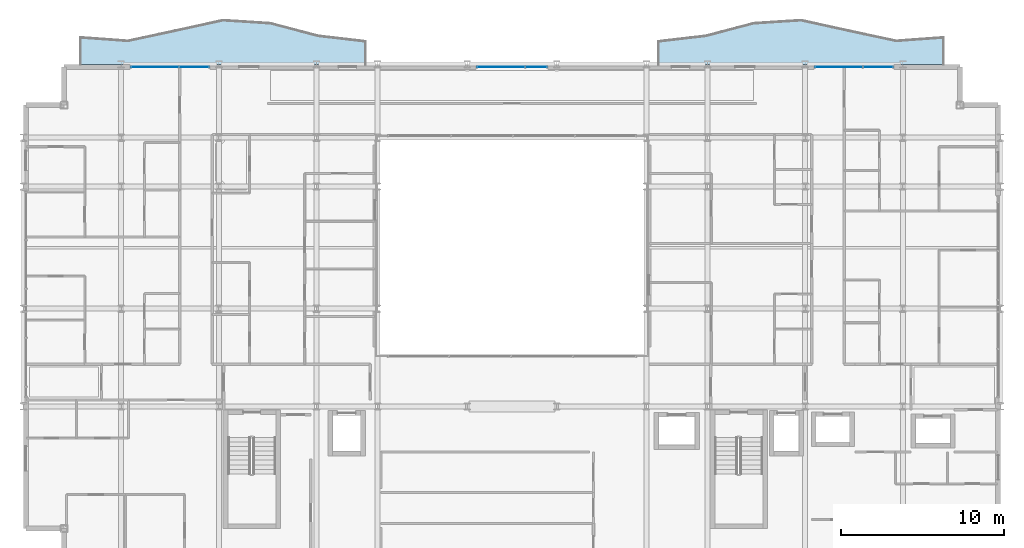
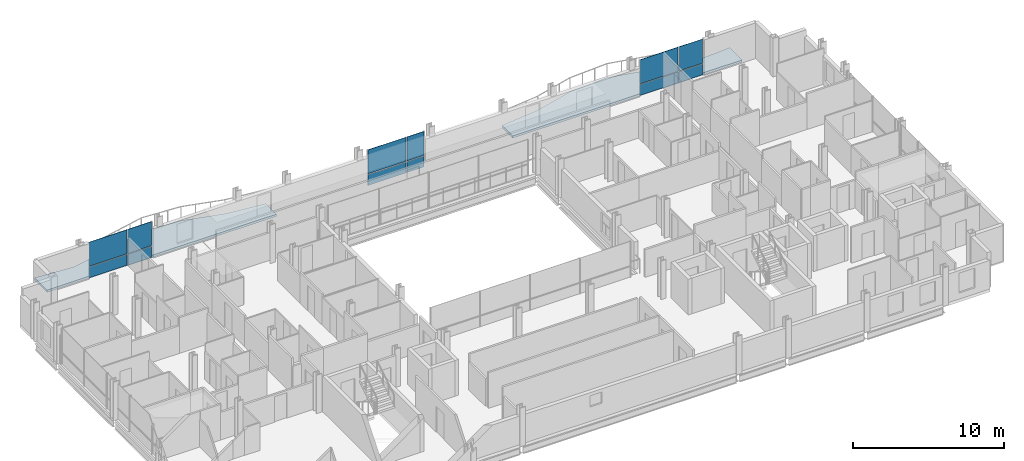
# One storey, part 29 of 40: 12 plates, 2 slabs, 3 elements without a shape of their own.
"""IFC4 building model written with IfcOpenShell, lengths in metres."""

from ifc_helpers import new_model, si_unit, direction, frame, origin, origin_2d, place, context, subcontext, project, spatial, polyline, rectangle, outline, extrude, material, layer, layer_set, type_object, element, aggregate, save


model = new_model("IFC4")

# Units and contexts
model_context = context("Model", 3, precision=1e-05, world=origin(), true_north=direction((0.0, 1.0)))
body_context = subcontext(model_context, "Body", "Model", "MODEL_VIEW")
ifc_project = project(units=[si_unit("LENGTHUNIT", "METRE"), si_unit("AREAUNIT", "SQUARE_METRE"), si_unit("VOLUMEUNIT", "CUBIC_METRE"), si_unit("PLANEANGLEUNIT", "RADIAN"), si_unit("MASSUNIT", "GRAM", prefix="KILO")], contexts=[model_context])

# Site, building, storey
site_placement = place(None, origin())
site = spatial("IfcSite", under=ifc_project, at=site_placement, CompositionType="ELEMENT")
building_placement = place(site_placement, origin())
building = spatial("IfcBuilding", under=site, at=building_placement, Name="Brevholm Reach", CompositionType="ELEMENT")
storey_placement = place(building_placement, frame((0.0, 0.0, 62.10009765625)))
storey = spatial("IfcBuildingStorey", under=building, at=storey_placement, Name="L17", CompositionType="ELEMENT", Elevation=62.10009765625)

# Curtain wall, plates
ifc_material_1 = material(Name="Dark Anodised Aluminium 6063-T6 and Solar-Control Glass", Category="aluminium")
ifc_layer_1 = layer(ifc_material_1, 0.14990234375)
ifc_layer_set_1 = layer_set([ifc_layer_1], Name="Dark Anodised Aluminium 6063-T6 and Solar-Control Glass")
curtain_wall_type = type_object("IfcCurtainWallType", Name="CW-01", PredefinedType="NOTDEFINED", material=ifc_layer_set_1)
curtain_wall_1_placement = place(storey_placement, origin())
curtain_wall_1 = element("IfcCurtainWall", 1, at=curtain_wall_1_placement, inside=storey, type_object=curtain_wall_type, Name="L17 Curtain Wall CW-01", PredefinedType="NOTDEFINED")
ifc_material_2 = material(Name="Dark Solar-Control Double-Glazed IGU Glass", Category="glass")
ifc_layer_2 = layer(ifc_material_2, 0.028076171875)
ifc_layer_set_2 = layer_set([ifc_layer_2], Name="Dark Solar-Control Double-Glazed IGU Glass")
plate_type = type_object("IfcPlateType", Name="CWP-GLZ-28", PredefinedType="CURTAIN_PANEL", material=ifc_layer_set_2)
plate_1_placement = place(storey_placement, frame((8.066162109375, 30.85009765625, 0.0), z_axis=(0.0, 0.0, 1.0), x_axis=(1.0, 0.0, 0.0)))
plate_1 = element("IfcPlate", 2, at=plate_1_placement, type_object=plate_type, Name="CP-01 Glazing Panel 1.1", PredefinedType="CURTAIN_PANEL", context=body_context, shape_type="SweptSolid", body=[
    extrude(rectangle(XDim=2.902587890625, YDim=0.028076171875, at=origin_2d()), origin(), (0.0, 0.0, 1.0), 0.867431640625),
])
plate_2_placement = place(storey_placement, frame((8.066162109375, 30.85009765625, 0.932373046875), z_axis=(0.0, 0.0, 1.0), x_axis=(1.0, 0.0, 0.0)))
plate_2 = element("IfcPlate", 3, at=plate_2_placement, type_object=plate_type, Name="CP-01 Glazing Panel 1.2", PredefinedType="CURTAIN_PANEL", context=body_context, shape_type="SweptSolid", body=[
    extrude(rectangle(XDim=2.902587890625, YDim=0.028076171875, at=origin_2d()), origin(), (0.0, 0.0, 1.0), 1.9375),
])
plate_3_placement = place(storey_placement, frame((10.483642578125, 30.85009765625, 0.0), z_axis=(0.0, 0.0, 1.0), x_axis=(1.0, 0.0, 0.0)))
plate_3 = element("IfcPlate", 4, at=plate_3_placement, type_object=plate_type, Name="CP-01 Glazing Panel 2.1", PredefinedType="CURTAIN_PANEL", context=body_context, shape_type="SweptSolid", body=[
    extrude(rectangle(XDim=1.802490234375, YDim=0.028076171875, at=origin_2d()), origin(), (0.0, 0.0, 1.0), 0.867431640625),
])
plate_4_placement = place(storey_placement, frame((10.483642578125, 30.85009765625, 0.932373046875), z_axis=(0.0, 0.0, 1.0), x_axis=(1.0, 0.0, 0.0)))
plate_4 = element("IfcPlate", 5, at=plate_4_placement, type_object=plate_type, Name="CP-01 Glazing Panel 2.2", PredefinedType="CURTAIN_PANEL", context=body_context, shape_type="SweptSolid", body=[
    extrude(rectangle(XDim=1.802490234375, YDim=0.028076171875, at=origin_2d()), origin(), (0.0, 0.0, 1.0), 1.9375),
])
aggregate(curtain_wall_1, [plate_1, plate_2, plate_3, plate_4])

curtain_wall_2_placement = place(storey_placement, origin())
curtain_wall_2 = element("IfcCurtainWall", 6, at=curtain_wall_2_placement, inside=storey, type_object=curtain_wall_type, Name="L17 Curtain Wall CW-01", PredefinedType="NOTDEFINED")
plate_5_placement = place(storey_placement, frame((29.316162109375, 30.85009765625, 0.0), z_axis=(0.0, 0.0, 1.0), x_axis=(1.0, 0.0, 0.0)))
plate_5 = element("IfcPlate", 7, at=plate_5_placement, type_object=plate_type, Name="CP-01 Glazing Panel 1.1", PredefinedType="CURTAIN_PANEL", context=body_context, shape_type="SweptSolid", body=[
    extrude(rectangle(XDim=2.902587890625, YDim=0.028076171875, at=origin_2d()), origin(), (0.0, 0.0, 1.0), 0.867431640625),
])
plate_6_placement = place(storey_placement, frame((29.316162109375, 30.85009765625, 0.932373046875), z_axis=(0.0, 0.0, 1.0), x_axis=(1.0, 0.0, 0.0)))
plate_6 = element("IfcPlate", 8, at=plate_6_placement, type_object=plate_type, Name="CP-01 Glazing Panel 1.2", PredefinedType="CURTAIN_PANEL", context=body_context, shape_type="SweptSolid", body=[
    extrude(rectangle(XDim=2.902587890625, YDim=0.028076171875, at=origin_2d()), origin(), (0.0, 0.0, 1.0), 1.9375),
])
plate_7_placement = place(storey_placement, frame((31.483642578125, 30.85009765625, 0.0), z_axis=(0.0, 0.0, 1.0), x_axis=(1.0, 0.0, 0.0)))
plate_7 = element("IfcPlate", 9, at=plate_7_placement, type_object=plate_type, Name="CP-01 Glazing Panel 2.1", PredefinedType="CURTAIN_PANEL", context=body_context, shape_type="SweptSolid", body=[
    extrude(rectangle(XDim=1.302490234375, YDim=0.028076171875, at=origin_2d()), origin(), (0.0, 0.0, 1.0), 0.867431640625),
])
plate_8_placement = place(storey_placement, frame((31.483642578125, 30.85009765625, 0.932373046875), z_axis=(0.0, 0.0, 1.0), x_axis=(1.0, 0.0, 0.0)))
plate_8 = element("IfcPlate", 10, at=plate_8_placement, type_object=plate_type, Name="CP-01 Glazing Panel 2.2", PredefinedType="CURTAIN_PANEL", context=body_context, shape_type="SweptSolid", body=[
    extrude(rectangle(XDim=1.302490234375, YDim=0.028076171875, at=origin_2d()), origin(), (0.0, 0.0, 1.0), 1.9375),
])
aggregate(curtain_wall_2, [plate_5, plate_6, plate_7, plate_8])

curtain_wall_3_placement = place(storey_placement, origin())
curtain_wall_3 = element("IfcCurtainWall", 11, at=curtain_wall_3_placement, inside=storey, type_object=curtain_wall_type, Name="L17 Curtain Wall CW-01", PredefinedType="NOTDEFINED")
plate_9_placement = place(storey_placement, frame((50.066162109375, 30.85009765625, 0.0), z_axis=(0.0, 0.0, 1.0), x_axis=(1.0, 0.0, 0.0)))
plate_9 = element("IfcPlate", 12, at=plate_9_placement, type_object=plate_type, Name="CP-01 Glazing Panel 1.1", PredefinedType="CURTAIN_PANEL", context=body_context, shape_type="SweptSolid", body=[
    extrude(rectangle(XDim=2.902587890625, YDim=0.028076171875, at=origin_2d()), origin(), (0.0, 0.0, 1.0), 0.867431640625),
])
plate_10_placement = place(storey_placement, frame((50.066162109375, 30.85009765625, 0.932373046875), z_axis=(0.0, 0.0, 1.0), x_axis=(1.0, 0.0, 0.0)))
plate_10 = element("IfcPlate", 13, at=plate_10_placement, type_object=plate_type, Name="CP-01 Glazing Panel 1.2", PredefinedType="CURTAIN_PANEL", context=body_context, shape_type="SweptSolid", body=[
    extrude(rectangle(XDim=2.902587890625, YDim=0.028076171875, at=origin_2d()), origin(), (0.0, 0.0, 1.0), 1.9375),
])
plate_11_placement = place(storey_placement, frame((52.483642578125, 30.85009765625, 0.0), z_axis=(0.0, 0.0, 1.0), x_axis=(1.0, 0.0, 0.0)))
plate_11 = element("IfcPlate", 14, at=plate_11_placement, type_object=plate_type, Name="CP-01 Glazing Panel 2.1", PredefinedType="CURTAIN_PANEL", context=body_context, shape_type="SweptSolid", body=[
    extrude(rectangle(XDim=1.802490234375, YDim=0.028076171875, at=origin_2d()), origin(), (0.0, 0.0, 1.0), 0.867431640625),
])
plate_12_placement = place(storey_placement, frame((52.483642578125, 30.85009765625, 0.932373046875), z_axis=(0.0, 0.0, 1.0), x_axis=(1.0, 0.0, 0.0)))
plate_12 = element("IfcPlate", 15, at=plate_12_placement, type_object=plate_type, Name="CP-01 Glazing Panel 2.2", PredefinedType="CURTAIN_PANEL", context=body_context, shape_type="SweptSolid", body=[
    extrude(rectangle(XDim=1.802490234375, YDim=0.028076171875, at=origin_2d()), origin(), (0.0, 0.0, 1.0), 1.9375),
])
aggregate(curtain_wall_3, [plate_9, plate_10, plate_11, plate_12])

# Slabs
ifc_material_3 = material(Name="Precast Concrete C40/50", Category="concrete")
ifc_layer_3 = layer(ifc_material_3, 0.179931640625)
ifc_layer_set_3 = layer_set([ifc_layer_3], Name="Precast Concrete C40/50")
slab_type = type_object("IfcSlabType", Name="SLB-BAL-180", PredefinedType="FLOOR", material=ifc_layer_set_3)
slab_1_placement = place(storey_placement, frame((0.0, 0.0, -0.18017578125)))
element("IfcSlab", 16, at=slab_1_placement, inside=storey, type_object=slab_type, Name="L17 Rippling External Balcony NE", PredefinedType="FLOOR", context=body_context, shape_type="SweptSolid", body=[
    extrude(outline(polyline([(39.0, 31.0), (56.5, 31.0), (56.5, 32.650146484375), (53.583251953125, 32.436767578125), (50.666748046875, 33.063232421875), (47.75, 33.705078125), (44.833251953125, 33.517822265625), (41.916748046875, 32.747802734375), (39.0, 32.408203125), (39.0, 31.0)])), origin(), (0.0, 0.0, 1.0), 0.18017578125),
])
slab_2_placement = place(storey_placement, frame((0.0, 0.0, -0.18017578125)))
element("IfcSlab", 17, at=slab_2_placement, inside=storey, type_object=slab_type, Name="L17 Rippling External Balcony NW", PredefinedType="FLOOR", context=body_context, shape_type="SweptSolid", body=[
    extrude(outline(polyline([(3.5, 31.0), (21.0, 31.0), (21.0, 32.408203125), (18.083251953125, 32.747802734375), (15.166748046875, 33.517822265625), (12.25, 33.705078125), (9.333251953125, 33.063232421875), (6.416748046875, 32.436767578125), (3.5, 32.650146484375), (3.5, 31.0)])), origin(), (0.0, 0.0, 1.0), 0.18017578125),
])

save(model, "model.ifc")
